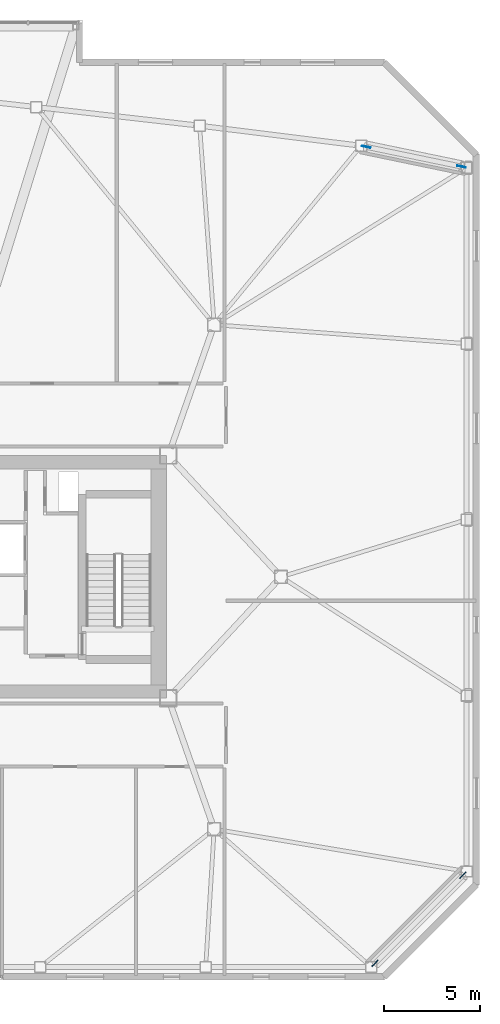
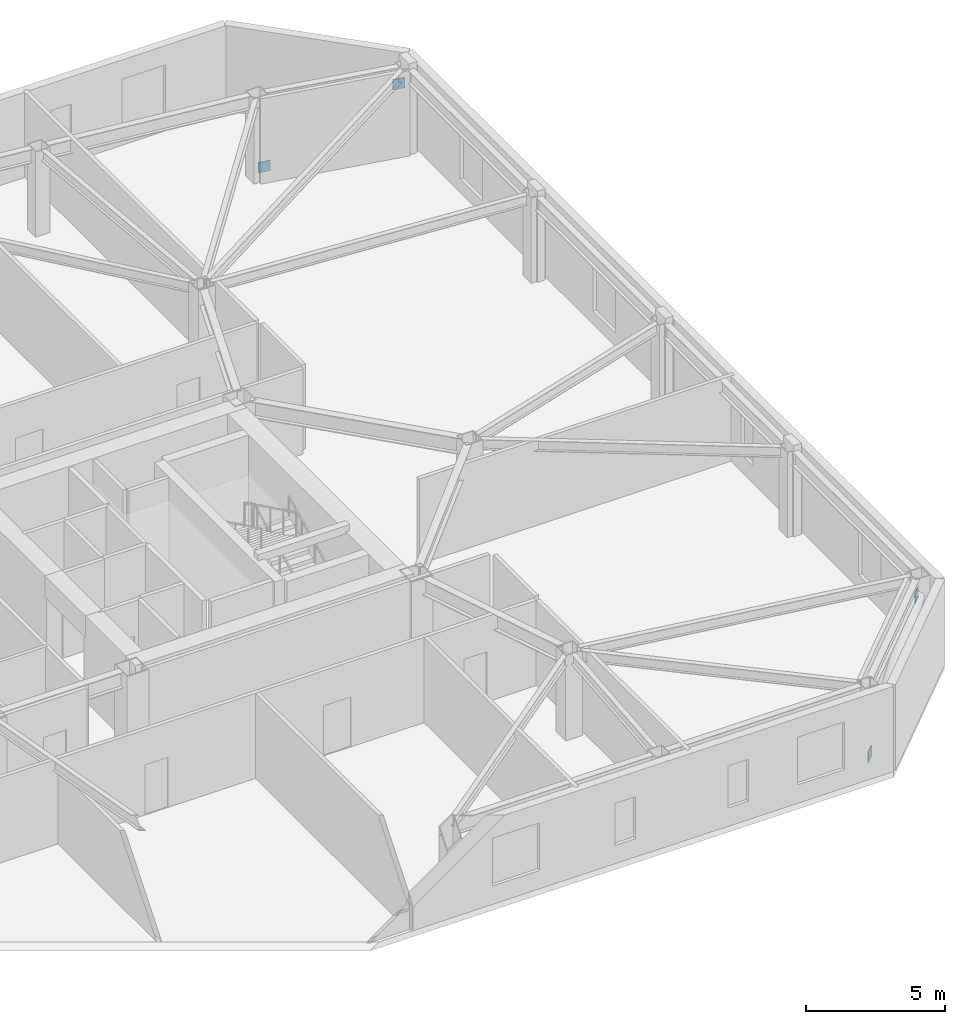
# One storey, part 19 of 20: 4 discrete accessories.
"""IFC4 building model written with IfcOpenShell, lengths in metres."""

from ifc_helpers import new_model, si_unit, direction, frame, origin, origin_2d, place, context, subcontext, project, spatial, rectangle, extrude, material, type_object, element, save


model = new_model("IFC4")

# Units and contexts
model_context = context("Model", 3, precision=1e-05, world=origin(), true_north=direction((0.0, 1.0)))
body_context = subcontext(model_context, "Body", "Model", "MODEL_VIEW")
ifc_project = project(units=[si_unit("LENGTHUNIT", "METRE"), si_unit("AREAUNIT", "SQUARE_METRE"), si_unit("VOLUMEUNIT", "CUBIC_METRE"), si_unit("PLANEANGLEUNIT", "RADIAN"), si_unit("MASSUNIT", "GRAM", prefix="KILO")], contexts=[model_context])

# Site, building, storey
site_placement = place(None, origin())
site = spatial("IfcSite", under=ifc_project, at=site_placement, CompositionType="ELEMENT")
building_placement = place(site_placement, origin())
building = spatial("IfcBuilding", under=site, at=building_placement, Name="Tavrogorsk Clinical Tower", CompositionType="ELEMENT")
storey_placement = place(building_placement, frame((0.0, 0.0, 176.199951171875)))
storey = spatial("IfcBuildingStorey", under=building, at=storey_placement, Name="L40", CompositionType="ELEMENT", Elevation=176.199951171875)

# Discrete accessories
ifc_material = material(Name="Structural steel S440", Category="steel")
discrete_accessory_type = type_object("IfcDiscreteAccessoryType", Name="GussetPlateBracket_25", PredefinedType="BRACKET", material=ifc_material)
for number, where, z_axis, x_axis, name in (
    (1, (32.922607421875, -20.217529296875, 0.18310546875), (0.0, 0.0, 1.0), (0.707106781187, 0.707106781187, 0.0), "L40 Brace Gusset Plate EXOCRN-L40-1-A"),
    (2, (37.517333984375, -15.62255859375, 2.7470703125), (0.0, 0.0, 1.0), (0.707106781187, 0.707106781187, 0.0), "L40 Brace Gusset Plate EXOCRN-L40-1-B"),
    (3, (32.461669921875, 22.509765625, 0.20654296875), (0.0, 0.0, 1.0), (0.979187402648, -0.202958198889, 0.0), "L40 Brace Gusset Plate EXOCRN-L40-2-A"),
    (4, (37.44970703125, 21.47607421875, 2.7236328125), (0.0, 0.0, 1.0), (0.979187402648, -0.202958198889, 0.0), "L40 Brace Gusset Plate EXOCRN-L40-2-B"),
):
    element("IfcDiscreteAccessory", number, at=place(storey_placement, frame(where, z_axis=z_axis, x_axis=x_axis)), inside=storey, type_object=discrete_accessory_type, Name=name, PredefinedType="BRACKET", context=body_context, shape_type="SweptSolid", body=[
        extrude(rectangle(XDim=0.4599609375, YDim=0.0400390625, at=origin_2d()), origin(), (0.0, 0.0, 1.0), 0.4599609375),
    ])

save(model, "model.ifc")
